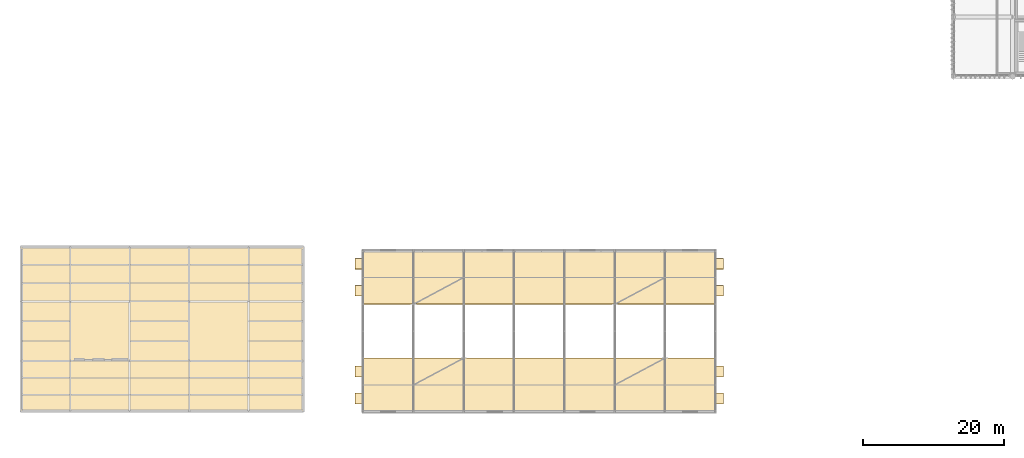
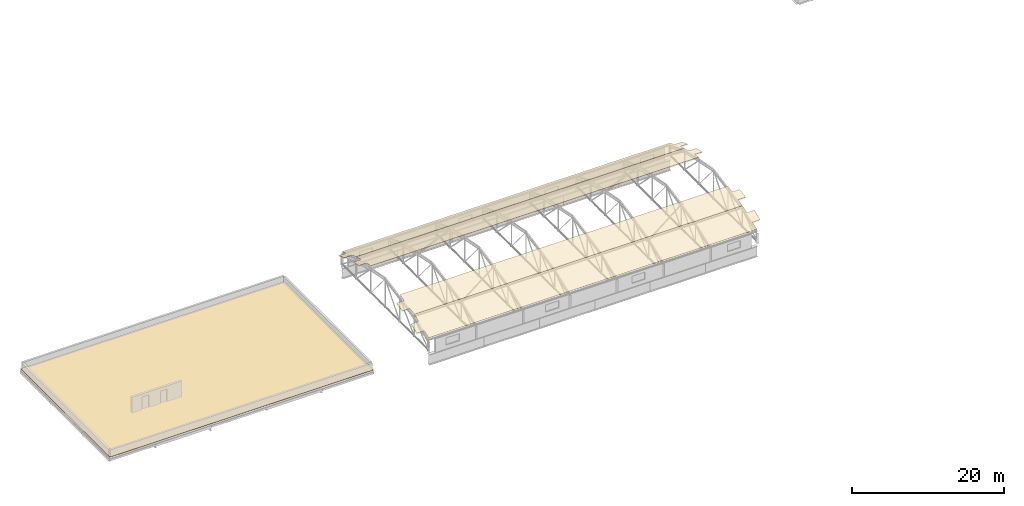
# One storey, part 51 of 53: 5 coverings, 2 elements without a shape of their own.
"""IFC4 building model written with IfcOpenShell, lengths in metres."""

from ifc_helpers import new_model, si_unit, direction, frame, origin_with_axes, place, context, subcontext, project, spatial, polyline, outline, extrude, material, type_object, element, aggregate, save


model = new_model("IFC4")

# Units and contexts
model_context = context("Model", 3, precision=1e-05, world=origin_with_axes(), true_north=direction((0.0, 1.0)))
body_context = subcontext(model_context, "Body", "Model", "MODEL_VIEW")
ifc_project = project(units=[si_unit("LENGTHUNIT", "METRE"), si_unit("AREAUNIT", "SQUARE_METRE"), si_unit("VOLUMEUNIT", "CUBIC_METRE"), si_unit("PLANEANGLEUNIT", "RADIAN"), si_unit("MASSUNIT", "GRAM", prefix="KILO"), si_unit("THERMODYNAMICTEMPERATUREUNIT", "KELVIN")], contexts=[model_context])

# Site, building, storey
site_placement = place(None, origin_with_axes())
site = spatial("IfcSite", under=ifc_project, at=site_placement, CompositionType="ELEMENT")
building_placement = place(site_placement, origin_with_axes())
building = spatial("IfcBuilding", under=site, at=building_placement, Name="Montbau Bow Law Courts", CompositionType="ELEMENT")
storey_placement = place(building_placement, frame((0.0, 0.0, 39.0), z_axis=(0.0, 0.0, 1.0), x_axis=(1.0, 0.0, 0.0)))
storey = spatial("IfcBuildingStorey", under=building, at=storey_placement, Name="L08", CompositionType="ELEMENT", Elevation=39.0)

# Roof, covering
ifc_material_1 = material(Name="Insulated Inverted Membrane Roof", Category="other")
roof_type_1 = type_object("IfcRoofType", Name="RF-FL-01", PredefinedType="FLAT_ROOF", material=ifc_material_1)
roof_1_placement = place(None, frame((6.8, 39.0, 39.0), z_axis=(0.0, 0.0, 1.0), x_axis=(1.0, 0.0, 0.0)))
roof_1 = element("IfcRoof", 1, at=roof_1_placement, inside=storey, type_object=roof_type_1, Name="ROOF-V2:rof_0001", PredefinedType="FLAT_ROOF")
ifc_material_2 = material(Name="Standing-Seam Pre-Weathered Zinc Roofing Membrane", Category="steel")
covering_type = type_object("IfcCoveringType", Name="CV-ROF-01", PredefinedType="ROOFING", material=ifc_material_2)
covering_1_placement = place(None, frame((0.0, 0.0, 39.0), z_axis=(0.0, 0.0, 1.0), x_axis=(1.0, 0.0, 0.0)))
covering_1 = element("IfcCovering", 2, at=covering_1_placement, type_object=covering_type, Name="CVR-V2:cov_0001", PredefinedType="ROOFING", context=body_context, shape_type="SweptSolid", body=[
    extrude(outline(polyline([(6.8, 39.0), (46.8, 39.0), (46.8, 62.4), (6.8, 62.4), (6.8, 39.0)])), origin_with_axes(), (0.0, 0.0, 1.0), 0.06),
])
aggregate(roof_1, [covering_1])

# Roof, coverings
ifc_material_3 = material(Name="Standing-Seam Zinc Insulated Barrel-Vault Roof", Category="steel")
roof_type_2 = type_object("IfcRoofType", Name="RF-BV-01", PredefinedType="BARREL_ROOF", material=ifc_material_3)
roof_2_placement = place(None, frame((55.2, 39.0, 40.8), z_axis=(0.0, 0.0, 1.0), x_axis=(1.0, 0.0, 0.0)))
roof_2 = element("IfcRoof", 3, at=roof_2_placement, inside=storey, type_object=roof_type_2, Name="BV-ROOF-V3:rof_0031", PredefinedType="BARREL_ROOF")
covering_2_placement = place(None, frame((0.0, 0.0, 26.02225), z_axis=(0.0, -0.362536208, 0.931969687), x_axis=(1.0, 0.0, 0.0)))
covering_2 = element("IfcCovering", 4, at=covering_2_placement, type_object=covering_type, Name="BV-CVR-V3-F1:cov_0040", PredefinedType="ROOFING", context=body_context, shape_type="SweptSolid", body=[
    extrude(outline(polyline([(55.2, 41.846855), (105.0, 41.846855), (105.0, 43.07007), (106.15, 43.07007), (106.15, 44.701025), (105.0, 44.701025), (105.0, 45.92424), (55.2, 45.92424), (55.2, 44.701025), (54.05, 44.701025), (54.05, 43.07007), (55.2, 43.07007), (55.2, 41.846855)])), origin_with_axes(), (0.0, 0.0, 1.0), 0.05),
])
covering_3_placement = place(None, frame((0.0, 0.0, 33.120672), z_axis=(0.0, -0.217653806, 0.976026035), x_axis=(1.0, 0.0, 0.0)))
covering_3 = element("IfcCovering", 5, at=covering_3_placement, type_object=covering_type, Name="BV-CVR-V3-F2:cov_0041", PredefinedType="ROOFING", context=body_context, shape_type="SweptSolid", body=[
    extrude(outline(polyline([(55.2, 43.851289), (105.0, 43.851289), (105.0, 45.019291), (106.15, 45.019291), (106.15, 46.576626), (105.0, 46.576626), (105.0, 47.744628), (55.2, 47.744628), (55.2, 46.576626), (54.05, 46.576626), (54.05, 45.019291), (55.2, 45.019291), (55.2, 43.851289)])), origin_with_axes(), (0.0, 0.0, 1.0), 0.05),
])
covering_4_placement = place(None, frame((0.0, 0.0, 55.599072), z_axis=(0.0, 0.217653806, 0.976026035), x_axis=(1.0, 0.0, 0.0)))
covering_4 = element("IfcCovering", 6, at=covering_4_placement, type_object=covering_type, Name="BV-CVR-V3-F5:cov_0044", PredefinedType="ROOFING", context=body_context, shape_type="SweptSolid", body=[
    extrude(outline(polyline([(55.2, 55.531306), (105.0, 55.531306), (105.0, 56.699307), (106.15, 56.699307), (106.15, 58.256643), (105.0, 58.256643), (105.0, 59.424644), (55.2, 59.424644), (55.2, 58.256643), (54.05, 58.256643), (54.05, 56.699307), (55.2, 56.699307), (55.2, 55.531306)])), origin_with_axes(), (0.0, 0.0, 1.0), 0.05),
])
covering_5_placement = place(None, frame((0.0, 0.0, 65.23345), z_axis=(0.0, 0.362536208, 0.931969687), x_axis=(1.0, 0.0, 0.0)))
covering_5 = element("IfcCovering", 7, at=covering_5_placement, type_object=covering_type, Name="BV-CVR-V3-F6:cov_0045", PredefinedType="ROOFING", context=body_context, shape_type="SweptSolid", body=[
    extrude(outline(polyline([(55.2, 62.233784), (105.0, 62.233784), (105.0, 63.457), (106.15, 63.457), (106.15, 65.087954), (105.0, 65.087954), (105.0, 66.31117), (55.2, 66.31117), (55.2, 65.087954), (54.05, 65.087954), (54.05, 63.457), (55.2, 63.457), (55.2, 62.233784)])), origin_with_axes(), (0.0, 0.0, 1.0), 0.05),
])
aggregate(roof_2, [covering_2, covering_3, covering_4, covering_5])

save(model, "model.ifc")
